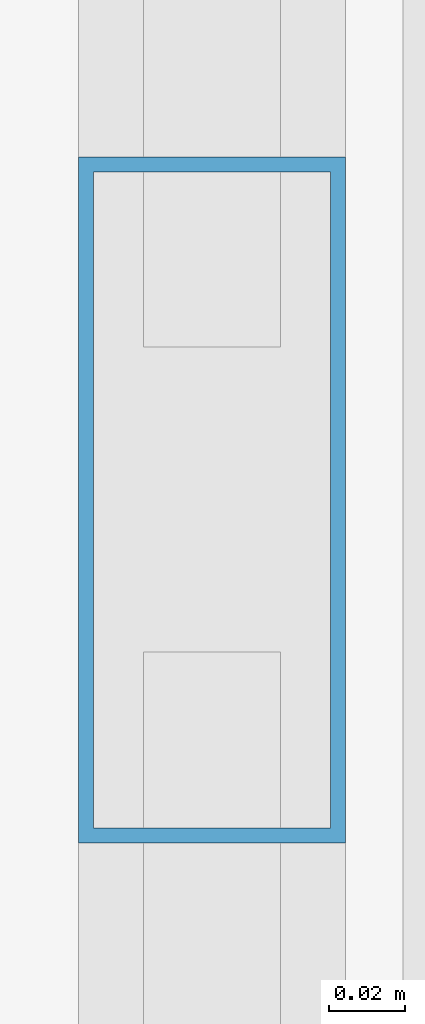
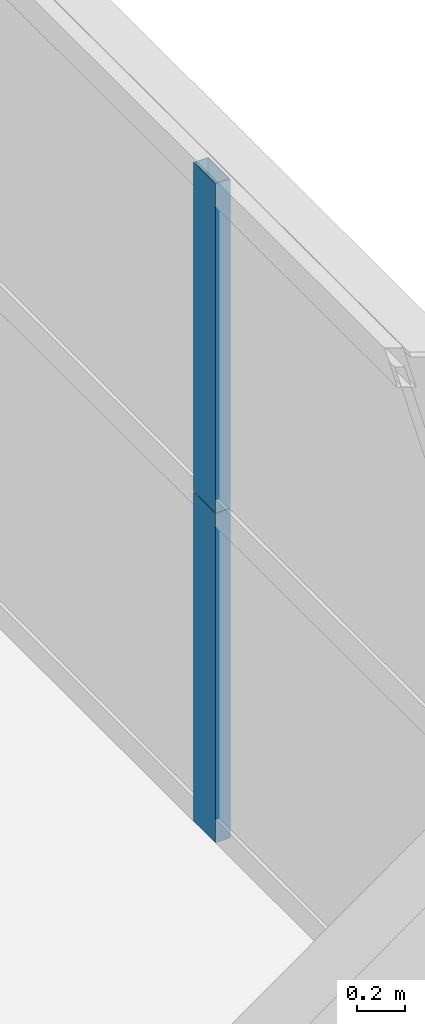
# One storey, part 32 of 43: 2 members, 1 element without a shape of its own.
"""IFC4 building model written with IfcOpenShell, lengths in metres."""

import ifcopenshell
import ifcopenshell.guid

model = None  # the IFC model being written
_history = None  # IfcOwnerHistory: only IFC2X3 demands one
_inside = {}  # id of a spatial element -> (the spatial element, [elements in it])
_under = {}  # id of a project, library or spatial element -> (it, [spatial elements below it])
_declared = {}  # id of a project -> (the project, [libraries it declares])
_typed = {}  # id of a type object -> (the type object, [elements of that type])
_made_of = {}  # id of a material, layer set ... -> (it, [elements and type objects made of it])


def new_model(schema):
    """Start an empty IFC model of exactly this schema.

    Asked for "IFC4X3", IfcOpenShell would pick the latest addendum, in which some entities
    have other attributes; the version numbers below select the first issue.
    IFC2X3 requires an IfcOwnerHistory on every rooted entity: one is made here for all.
    """
    global model, _history
    if schema == "IFC4X3":
        model = ifcopenshell.file(schema_version=(4, 3, 0, 0))
    else:
        model = ifcopenshell.file(schema=schema)
    _inside.clear()
    _under.clear()
    _declared.clear()
    _typed.clear()
    _made_of.clear()
    _history = None
    if model.schema == "IFC2X3":
        org = make("IfcOrganization", Name="unknown")
        user = make(
            "IfcPersonAndOrganization",
            ThePerson=make("IfcPerson", FamilyName="unknown"),
            TheOrganization=org,
        )
        app = make(
            "IfcApplication",
            ApplicationDeveloper=org,
            Version="unknown",
            ApplicationFullName="unknown",
            ApplicationIdentifier="unknown",
        )
        _history = make(
            "IfcOwnerHistory",
            OwningUser=user,
            OwningApplication=app,
            ChangeAction="ADDED",
            CreationDate=0,
        )
    return model


def make(cls, **values):
    """One entity of the class cls with the attributes given. An attribute that is None is left unset."""
    return model.create_entity(
        cls, **{name: value for name, value in values.items() if value is not None}
    )


def rooted(cls, **values):
    """An entity with a GlobalId (a new one), such as an element, a storey or a relation."""
    return make(cls, GlobalId=ifcopenshell.guid.new(), OwnerHistory=_history, **values)


def si_unit(unit_type, name, prefix=None):
    """IfcSIUnit, for example si_unit("LENGTHUNIT", "METRE", prefix="MILLI")."""
    return make("IfcSIUnit", UnitType=unit_type, Prefix=prefix, Name=name)


def assignment(units):
    """IfcUnitAssignment: the units of a project."""
    return None if units is None else make("IfcUnitAssignment", Units=units)


def point(xyz):
    """IfcCartesianPoint."""
    return None if xyz is None else make("IfcCartesianPoint", Coordinates=xyz)


def direction(xyz):
    """IfcDirection."""
    return None if xyz is None else make("IfcDirection", DirectionRatios=xyz)


def frame(location, z_axis=None, x_axis=None):
    """IfcAxis2Placement3D, a coordinate frame: its origin and axes. An axis left out is left unset."""
    return make(
        "IfcAxis2Placement3D",
        Location=point(location),
        Axis=direction(z_axis),
        RefDirection=direction(x_axis),
    )


def frame_2d(location, x_axis=None):
    """IfcAxis2Placement2D, a coordinate frame in the plane: its origin and x axis."""
    return make(
        "IfcAxis2Placement2D", Location=point(location), RefDirection=direction(x_axis)
    )


def origin():
    """The frame at (0, 0, 0) with its axes left unset."""
    return frame((0.0, 0.0, 0.0))


def origin_2d():
    """The frame at (0, 0) in the plane with its x axis left unset."""
    return frame_2d((0.0, 0.0))


def place(relative_to, where):
    """IfcLocalPlacement: puts the frame where relative to a parent placement (None: the world)."""
    return make(
        "IfcLocalPlacement", PlacementRelTo=relative_to, RelativePlacement=where
    )


def context(
    kind, dimensions, precision=None, world=None, true_north=None, identifier=None
):
    """IfcGeometricRepresentationContext, for example the 3D "Model" context."""
    return make(
        "IfcGeometricRepresentationContext",
        ContextIdentifier=identifier,
        ContextType=kind,
        CoordinateSpaceDimension=dimensions,
        Precision=precision,
        WorldCoordinateSystem=world,
        TrueNorth=true_north,
    )


def subcontext(parent, identifier, kind, view, scale=None):
    """IfcGeometricRepresentationSubContext, for example "Body" below "Model"."""
    return make(
        "IfcGeometricRepresentationSubContext",
        ContextIdentifier=identifier,
        ContextType=kind,
        ParentContext=parent,
        TargetScale=scale,
        TargetView=view,
    )


def project(units=None, contexts=None):
    """IfcProject with its units and contexts."""
    return rooted(
        "IfcProject",
        Name="project",
        RepresentationContexts=contexts,
        UnitsInContext=assignment(units),
    )


def spatial(cls, under=None, at=None, **own):
    """A site, building, storey or space (cls), placed at a placement, below another one or the project."""
    s = rooted(cls, ObjectPlacement=at, **own)
    if under is not None:
        _under.setdefault(under.id(), (under, []))[1].append(s)
    return s


def profile(cls, at=None, kind="AREA", **sizes):
    """A parametric profile (cls). Its sizes go by their IFC names, for example OverallWidth=200.0."""
    return make(cls, ProfileType=kind, Position=at, **sizes)


def hollow_rectangle(**sizes):
    """IfcRectangleHollowProfileDef."""
    return profile("IfcRectangleHollowProfileDef", **sizes)


def extrude(swept, where, along, depth):
    """IfcExtrudedAreaSolid: the profile swept, set in the frame where, extruded along a direction by depth."""
    return make(
        "IfcExtrudedAreaSolid",
        SweptArea=swept,
        Position=where,
        ExtrudedDirection=direction(along),
        Depth=depth,
    )


def shape(context_of_items, identifier, shape_type, items):
    """IfcShapeRepresentation: the items that make up one representation, for example the "Body"."""
    return make(
        "IfcShapeRepresentation",
        ContextOfItems=context_of_items,
        RepresentationIdentifier=identifier,
        RepresentationType=shape_type,
        Items=items,
    )


def source(mapping_origin, context_of_items, identifier, shape_type, items):
    """IfcRepresentationMap: a shape defined once, which mapped items show again and again."""
    return make(
        "IfcRepresentationMap",
        MappingOrigin=mapping_origin,
        MappedRepresentation=shape(context_of_items, identifier, shape_type, items),
    )


def transform(
    local_origin,
    x_axis=None,
    y_axis=None,
    z_axis=None,
    scale=None,
    scale2=None,
    scale3=None,
    uniform=True,
):
    """IfcCartesianTransformationOperator3D, or its non-uniform kind. x_axis, y_axis, z_axis: its Axis1, 2, 3."""
    if uniform:
        return make(
            "IfcCartesianTransformationOperator3D",
            Axis1=direction(x_axis),
            Axis2=direction(y_axis),
            LocalOrigin=point(local_origin),
            Scale=scale,
            Axis3=direction(z_axis),
        )
    return make(
        "IfcCartesianTransformationOperator3DnonUniform",
        Axis1=direction(x_axis),
        Axis2=direction(y_axis),
        LocalOrigin=point(local_origin),
        Scale=scale,
        Axis3=direction(z_axis),
        Scale2=scale2,
        Scale3=scale3,
    )


def mapped(mapping_source, mapping_target):
    """IfcMappedItem: shows the shape of a source again, moved by a transform."""
    return make(
        "IfcMappedItem", MappingSource=mapping_source, MappingTarget=mapping_target
    )


def material(Name=None, Category=None):
    """IfcMaterial."""
    return make("IfcMaterial", Name=Name, Category=Category)


def layer(
    of_material, thickness, ventilated=None, Name=None, Category=None, Priority=None
):
    """IfcMaterialLayer: one layer of a wall or slab, of a material (None: an air gap)."""
    return make(
        "IfcMaterialLayer",
        Material=of_material,
        LayerThickness=thickness,
        IsVentilated=ventilated,
        Name=Name,
        Category=Category,
        Priority=Priority,
    )


def layer_set(layers, Name=None):
    """IfcMaterialLayerSet."""
    return make("IfcMaterialLayerSet", MaterialLayers=layers, LayerSetName=Name)


def material_profile(
    of_material, cross_section, Name=None, Category=None, Priority=None
):
    """IfcMaterialProfile: a cross section and its material."""
    return make(
        "IfcMaterialProfile",
        Name=Name,
        Material=of_material,
        Profile=cross_section,
        Priority=Priority,
        Category=Category,
    )


def profile_set(profiles, Name=None, composite=None):
    """IfcMaterialProfileSet."""
    return make(
        "IfcMaterialProfileSet",
        Name=Name,
        MaterialProfiles=profiles,
        CompositeProfile=composite,
    )


def made_of(thing, what):
    """Note that an element or type object is made of a material, layer set ...; save() writes the relation."""
    if what is not None:
        _made_of.setdefault(what.id(), (what, []))[1].append(thing)
    return thing


def type_object(cls, material=None, **own):
    """A type object (cls), such as IfcWallType, which elements share."""
    return made_of(rooted(cls, **own), material)


def element(
    cls,
    number,
    at=None,
    inside=None,
    cuts=None,
    type_object=None,
    material=None,
    context=None,
    identifier="Body",
    shape_type=None,
    held_by="IfcProductDefinitionShape",
    body=None,
    shapes=None,
    **own,
):
    """One element of the class cls, such as IfcWall. Its Tag is "e" and its number.

    at: its placement. inside: the storey or other place that contains it. cuts: it is an
    opening in that element (IfcRelVoidsElement). A single representation is given by context,
    identifier, shape_type and body (its items); several are given by shapes. held_by: the class
    of the entity that holds the representations. save() writes the other relations.
    """
    e = rooted(cls, Tag="e%d" % number, ObjectPlacement=at, **own)
    if body is not None:
        shapes = [shape(context, identifier, shape_type, body)]
    if shapes is not None:
        e.Representation = make(held_by, Representations=shapes)
    if inside is not None:
        _inside.setdefault(inside.id(), (inside, []))[1].append(e)
    if cuts is not None:
        rooted(
            "IfcRelVoidsElement", RelatingBuildingElement=cuts, RelatedOpeningElement=e
        )
    if type_object is not None:
        _typed.setdefault(type_object.id(), (type_object, []))[1].append(e)
    return made_of(e, material)


def aggregate(whole, parts):
    """IfcRelAggregates: a whole, such as a stair, and the parts it consists of."""
    return rooted("IfcRelAggregates", RelatingObject=whole, RelatedObjects=parts)


def save(model, path):
    """Write the relations noted so far, then the file.

    IfcRelAggregates (storeys below a building ...), IfcRelContainedInSpatialStructure (elements
    in a storey), IfcRelDefinesByType, IfcRelAssociatesMaterial and IfcRelDeclares: one each for
    every whole, place, type object, material and project.
    """
    for whole, parts in _under.values():
        aggregate(whole, parts)
    for where, things in _inside.values():
        rooted(
            "IfcRelContainedInSpatialStructure",
            RelatedElements=things,
            RelatingStructure=where,
        )
    for kind, things in _typed.values():
        rooted("IfcRelDefinesByType", RelatedObjects=things, RelatingType=kind)
    for what, things in _made_of.values():
        rooted("IfcRelAssociatesMaterial", RelatedObjects=things, RelatingMaterial=what)
    for by, libraries in _declared.values():
        rooted("IfcRelDeclares", RelatingContext=by, RelatedDefinitions=libraries)
    model.write(path)


model = new_model("IFC4")

# Units and contexts
model_context = context("Model", 3, precision=1e-05, world=origin(), true_north=direction((0.0, 1.0)))
body_context = subcontext(model_context, "Body", "Model", "MODEL_VIEW")
ifc_project = project(units=[si_unit("LENGTHUNIT", "METRE"), si_unit("AREAUNIT", "SQUARE_METRE"), si_unit("VOLUMEUNIT", "CUBIC_METRE"), si_unit("PLANEANGLEUNIT", "RADIAN"), si_unit("MASSUNIT", "GRAM", prefix="KILO"), si_unit("THERMODYNAMICTEMPERATUREUNIT", "KELVIN"), si_unit("POWERUNIT", "WATT")], contexts=[model_context])

# Site, building, storey
site_placement = place(None, origin())
site = spatial("IfcSite", under=ifc_project, at=site_placement, CompositionType="ELEMENT")
building_placement = place(site_placement, origin())
building = spatial("IfcBuilding", under=site, at=building_placement, Name="Yuzanri Waterfront Tower", CompositionType="ELEMENT")
storey_placement = place(building_placement, frame((0.0, 0.0, 37.800048828125)))
storey = spatial("IfcBuildingStorey", under=building, at=storey_placement, Name="L09", CompositionType="ELEMENT", Elevation=37.800048828125)

# Curtain wall, members
ifc_material_1 = material(Name="Anodized Architectural Bronze", Category="metal")
ifc_layer = layer(ifc_material_1, 0.159912109375)
ifc_layer_set = layer_set([ifc_layer], Name="Anodized Architectural Bronze")
curtain_wall_type = type_object("IfcCurtainWallType", Name="Anodized Bronze Hotel Lower-Tier Recessed Unitized Curtain Wall 8100", PredefinedType="NOTDEFINED", material=ifc_layer_set)
curtain_wall_placement = place(storey_placement, origin())
curtain_wall = element("IfcCurtainWall", 1, at=curtain_wall_placement, inside=storey, type_object=curtain_wall_type, Name="L09 Curtain Wall CW-L09-ER", PredefinedType="NOTDEFINED")
ifc_material_2 = material(Name="Anodized Architectural Bronze", Category="metal")
ifc_material_profile = material_profile(ifc_material_2, hollow_rectangle(XDim=0.070068359375, YDim=0.179931640625, WallThickness=0.00390625, at=origin_2d()), Name="CWM 70x180")
ifc_profile_set = profile_set([ifc_material_profile], Name="Anodized Architectural Bronze")
member_type = type_object("IfcMemberType", Name="Anodized Bronze Standard Curtain-Wall Mullion 70x180", PredefinedType="MULLION", material=ifc_profile_set)
shared_shape_1 = source(origin(), body_context, "Body", "SweptSolid", [
    extrude(hollow_rectangle(XDim=0.070068359375, YDim=0.179931640625, WallThickness=0.00390625, at=origin_2d()), origin(), (0.0, 0.0, 1.0), 1.657958984375),
])
member_1_placement = place(storey_placement, frame((61.949951171875, 34.89990234375, 0.0), z_axis=(0.0, 0.0, 1.0), x_axis=(1.0, 0.0, 0.0)))
member_1 = element("IfcMember", 2, at=member_1_placement, type_object=member_type, Name="CW-L09-ER Lower Mullion 01", PredefinedType="MULLION", context=body_context, shape_type="MappedRepresentation", body=[
    mapped(shared_shape_1, transform((0.0, 0.0, 0.0), scale=1.0)),
])
shared_shape_2 = source(origin(), body_context, "Body", "SweptSolid", [
    extrude(hollow_rectangle(XDim=0.070068359375, YDim=0.179931640625, WallThickness=0.00390625, at=origin_2d()), origin(), (0.0, 0.0, 1.0), 1.658203125),
])
member_2_placement = place(storey_placement, frame((61.949951171875, 34.89990234375, 1.661865234375), z_axis=(0.0, 0.0, 1.0), x_axis=(1.0, 0.0, 0.0)))
member_2 = element("IfcMember", 3, at=member_2_placement, type_object=member_type, Name="CW-L09-ER Upper Mullion 01", PredefinedType="MULLION", context=body_context, shape_type="MappedRepresentation", body=[
    mapped(shared_shape_2, transform((0.0, 0.0, 0.0), scale=1.0)),
])
aggregate(curtain_wall, [member_1, member_2])

save(model, "model.ifc")
